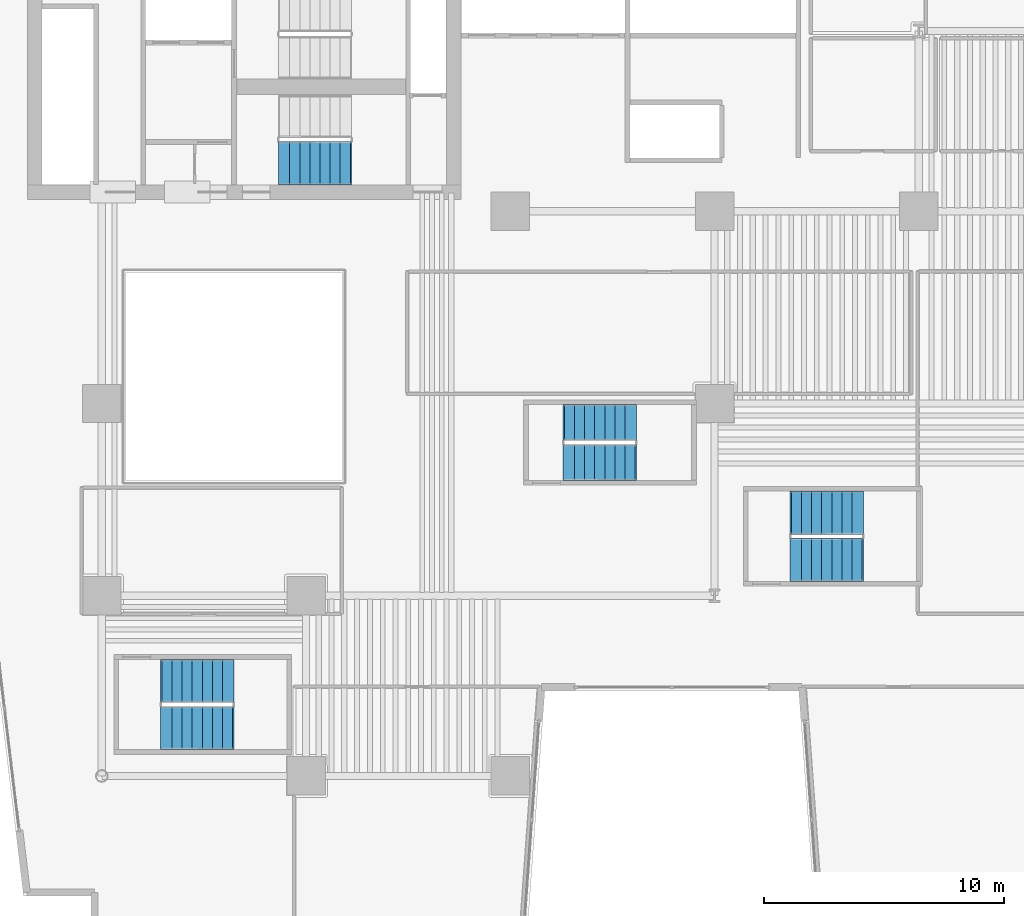
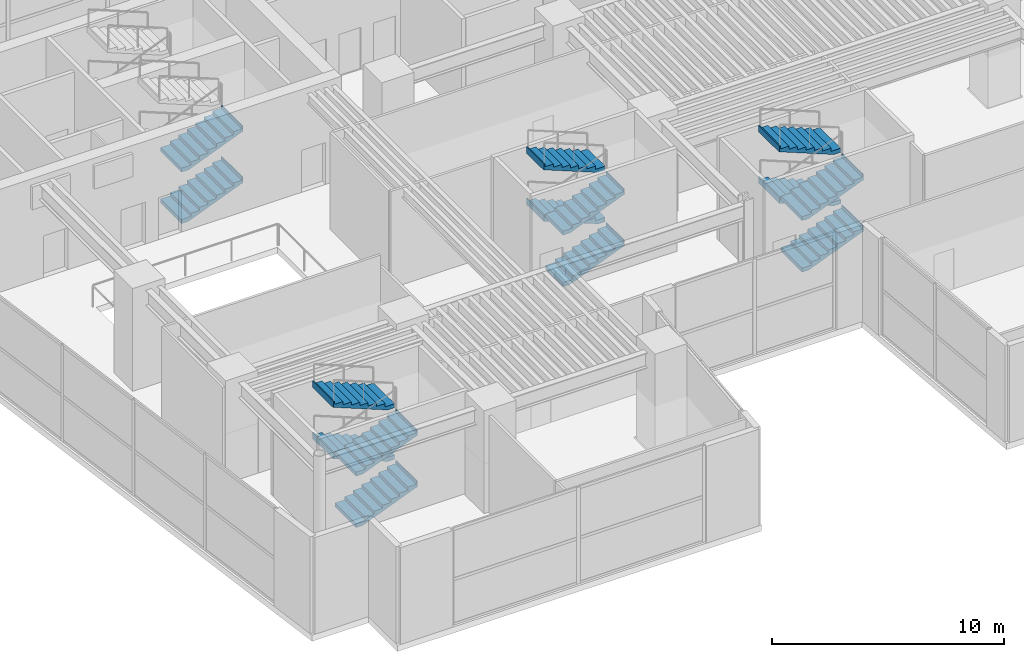
# One storey, part 11 of 16: 14 stair flights, 4 elements without a shape of their own.
"""IFC4 building model written with IfcOpenShell, lengths in metres."""

from ifc_helpers import new_model, si_unit, direction, frame, origin, place, context, subcontext, project, spatial, polyline, outline, extrude, material, type_object, element, aggregate, save


model = new_model("IFC4")

# Units and contexts
model_context = context("Model", 3, precision=1e-05, world=origin(), true_north=direction((0.0, 1.0)))
body_context = subcontext(model_context, "Body", "Model", "MODEL_VIEW")
ifc_project = project(units=[si_unit("LENGTHUNIT", "METRE"), si_unit("AREAUNIT", "SQUARE_METRE"), si_unit("VOLUMEUNIT", "CUBIC_METRE"), si_unit("PLANEANGLEUNIT", "RADIAN"), si_unit("MASSUNIT", "GRAM", prefix="KILO")], contexts=[model_context])

# Site, building, storey
site_placement = place(None, origin())
site = spatial("IfcSite", under=ifc_project, at=site_placement, CompositionType="ELEMENT")
building_placement = place(site_placement, origin())
building = spatial("IfcBuilding", under=site, at=building_placement, Name="Caeloran Harvest Quay", CompositionType="ELEMENT")
storey_placement = place(building_placement, frame((0.0, 0.0, 10.800048828125)))
storey = spatial("IfcBuildingStorey", under=building, at=storey_placement, Name="L03", CompositionType="ELEMENT", Elevation=10.800048828125)

# Stair, stair flights
ifc_material = material(Name="Concrete C50/60", Category="concrete")
stair_type_1 = type_object("IfcStairType", Name="STAIR-STC-180", PredefinedType="HALF_TURN_STAIR", material=ifc_material)
stair_1_placement = place(storey_placement, origin())
stair_1 = element("IfcStair", 1, at=stair_1_placement, inside=storey, type_object=stair_type_1, Name="L03 Core Pressurized Exit Stair ST-C2", PredefinedType="HALF_TURN_STAIR")
stair_flight_type_1 = type_object("IfcStairFlightType", Name="FLIGHT-STC-180", PredefinedType="STRAIGHT", material=ifc_material)
stair_flight_1_placement = place(storey_placement, frame((15.89990234375, 33.0, 0.0), z_axis=(0.0, 0.0, 1.0), x_axis=(1.0, 0.0, 0.0)))
stair_flight_1 = element("IfcStairFlight", 2, at=stair_flight_1_placement, type_object=stair_flight_type_1, Name="ST-C2 flight 1", NumberOfRisers=8, NumberOfTreads=7, PredefinedType="STRAIGHT", RiserHeight=0.16875, TreadLength=0.42, context=body_context, shape_type="SweptSolid", body=[
    extrude(outline(polyline([(-0.054931640625, -0.044921875), (-0.054931640625, -0.03173828125), (-0.054931640625, -0.018310546875), (-0.054931640625, -0.0048828125), (-0.054931640625, 0.008544921875), (-0.054931640625, 0.021728515625), (-0.054931640625, 0.03515625), (-0.054931640625, 0.048583984375), (-0.054931640625, 0.061767578125), (-0.054931640625, 0.0751953125), (-0.054931640625, 0.088623046875), (-0.054931640625, 0.10205078125), (-0.054931640625, 0.115234375), (-0.054931640625, 0.128662109375), (-0.054931640625, 0.14208984375), (-0.054931640625, 0.1552734375), (-0.054931640625, 0.168701171875), (0.419921875, 0.168701171875), (0.419921875, 0.33740234375), (0.840087890625, 0.33740234375), (0.840087890625, 0.50634765625), (1.260009765625, 0.50634765625), (1.260009765625, 0.675048828125), (1.679931640625, 0.675048828125), (1.679931640625, 0.84375), (2.10009765625, 0.84375), (2.10009765625, 1.012451171875), (2.52001953125, 1.012451171875), (2.52001953125, 1.18115234375), (2.93994140625, 1.18115234375), (2.93994140625, 1.35009765625), (2.9951171875, 1.35009765625), (2.9951171875, 1.329345703125), (2.9951171875, 1.30859375), (2.9951171875, 1.2880859375), (2.9951171875, 1.267333984375), (2.9951171875, 1.246826171875), (2.9951171875, 1.22607421875), (2.9951171875, 1.20556640625), (2.9951171875, 1.184814453125), (2.9951171875, 1.164306640625), (2.9951171875, 1.1435546875), (2.9951171875, 1.122802734375), (2.9951171875, 1.102294921875), (2.9951171875, 1.08154296875), (2.9951171875, 1.06103515625), (2.9951171875, 1.040283203125), (2.9951171875, 1.019775390625), (2.93994140625, 1.019775390625), (0.2900390625, -0.044921875), (-0.054931640625, -0.044921875)])), frame((0.0, 0.89990234375, 0.0), z_axis=(0.0, -1.0, 0.0), x_axis=(1.0, 0.0, 0.0)), (0.0, 0.0, 1.0), 1.800048828125),
])
stair_flight_2_placement = place(storey_placement, frame((15.89990234375, 33.0, 2.699951171875), z_axis=(0.0, 0.0, 1.0), x_axis=(1.0, 0.0, 0.0)))
stair_flight_2 = element("IfcStairFlight", 3, at=stair_flight_2_placement, type_object=stair_flight_type_1, Name="ST-C2 flight 3", NumberOfRisers=8, NumberOfTreads=7, PredefinedType="STRAIGHT", RiserHeight=0.16875, TreadLength=0.42, context=body_context, shape_type="SweptSolid", body=[
    extrude(outline(polyline([(-0.054931640625, -0.044921875), (-0.054931640625, -0.03173828125), (-0.054931640625, -0.018310546875), (-0.054931640625, -0.0048828125), (-0.054931640625, 0.008544921875), (-0.054931640625, 0.021728515625), (-0.054931640625, 0.03515625), (-0.054931640625, 0.048583984375), (-0.054931640625, 0.061767578125), (-0.054931640625, 0.0751953125), (-0.054931640625, 0.088623046875), (-0.054931640625, 0.10205078125), (-0.054931640625, 0.115234375), (-0.054931640625, 0.128662109375), (-0.054931640625, 0.14208984375), (-0.054931640625, 0.1552734375), (-0.054931640625, 0.168701171875), (0.419921875, 0.168701171875), (0.419921875, 0.33740234375), (0.840087890625, 0.33740234375), (0.840087890625, 0.50634765625), (1.260009765625, 0.50634765625), (1.260009765625, 0.675048828125), (1.679931640625, 0.675048828125), (1.679931640625, 0.84375), (2.10009765625, 0.84375), (2.10009765625, 1.012451171875), (2.52001953125, 1.012451171875), (2.52001953125, 1.18115234375), (2.93994140625, 1.18115234375), (2.93994140625, 1.35009765625), (2.9951171875, 1.35009765625), (2.9951171875, 1.329345703125), (2.9951171875, 1.30859375), (2.9951171875, 1.2880859375), (2.9951171875, 1.267333984375), (2.9951171875, 1.246826171875), (2.9951171875, 1.22607421875), (2.9951171875, 1.20556640625), (2.9951171875, 1.184814453125), (2.9951171875, 1.164306640625), (2.9951171875, 1.1435546875), (2.9951171875, 1.122802734375), (2.9951171875, 1.102294921875), (2.9951171875, 1.08154296875), (2.9951171875, 1.06103515625), (2.9951171875, 1.040283203125), (2.9951171875, 1.019775390625), (2.93994140625, 1.019775390625), (0.2900390625, -0.044921875), (-0.054931640625, -0.044921875)])), frame((0.0, 0.89990234375, 0.0), z_axis=(0.0, -1.0, 0.0), x_axis=(1.0, 0.0, 0.0)), (0.0, 0.0, 1.0), 1.800048828125),
])
aggregate(stair_1, [stair_flight_1, stair_flight_2])

stair_type_2 = type_object("IfcStairType", Name="STAIR-STP-180", PredefinedType="HALF_TURN_STAIR", material=ifc_material)
stair_2_placement = place(storey_placement, origin())
stair_2 = element("IfcStair", 4, at=stair_2_placement, inside=storey, type_object=stair_type_2, Name="L03 Podium West Public Exit Stair ST-P1", PredefinedType="HALF_TURN_STAIR")
stair_flight_type_2 = type_object("IfcStairFlightType", Name="FLIGHT-STP-180", PredefinedType="STRAIGHT", material=ifc_material)
stair_flight_3_placement = place(storey_placement, frame((11.0, 9.5, 0.0), z_axis=(0.0, 0.0, 1.0), x_axis=(1.0, 0.0, 0.0)))
stair_flight_3 = element("IfcStairFlight", 5, at=stair_flight_3_placement, type_object=stair_flight_type_2, Name="ST-P1 flight 1", NumberOfRisers=8, NumberOfTreads=7, PredefinedType="STRAIGHT", RiserHeight=0.16875, TreadLength=0.42, context=body_context, shape_type="SweptSolid", body=[
    extrude(outline(polyline([(-0.054931640625, -0.044921875), (-0.054931640625, -0.03173828125), (-0.054931640625, -0.018310546875), (-0.054931640625, -0.0048828125), (-0.054931640625, 0.008544921875), (-0.054931640625, 0.021728515625), (-0.054931640625, 0.03515625), (-0.054931640625, 0.048583984375), (-0.054931640625, 0.061767578125), (-0.054931640625, 0.0751953125), (-0.054931640625, 0.088623046875), (-0.054931640625, 0.10205078125), (-0.054931640625, 0.115234375), (-0.054931640625, 0.128662109375), (-0.054931640625, 0.14208984375), (-0.054931640625, 0.1552734375), (-0.054931640625, 0.168701171875), (0.419921875, 0.168701171875), (0.419921875, 0.33740234375), (0.840087890625, 0.33740234375), (0.840087890625, 0.50634765625), (1.260009765625, 0.50634765625), (1.260009765625, 0.675048828125), (1.679931640625, 0.675048828125), (1.679931640625, 0.84375), (2.10009765625, 0.84375), (2.10009765625, 1.012451171875), (2.52001953125, 1.012451171875), (2.52001953125, 1.18115234375), (2.93994140625, 1.18115234375), (2.93994140625, 1.35009765625), (2.9951171875, 1.35009765625), (2.9951171875, 1.329345703125), (2.9951171875, 1.30859375), (2.9951171875, 1.2880859375), (2.9951171875, 1.267333984375), (2.9951171875, 1.246826171875), (2.9951171875, 1.22607421875), (2.9951171875, 1.20556640625), (2.9951171875, 1.184814453125), (2.9951171875, 1.164306640625), (2.9951171875, 1.1435546875), (2.9951171875, 1.122802734375), (2.9951171875, 1.102294921875), (2.9951171875, 1.08154296875), (2.9951171875, 1.06103515625), (2.9951171875, 1.040283203125), (2.9951171875, 1.019775390625), (2.93994140625, 1.019775390625), (0.2900390625, -0.044921875), (-0.054931640625, -0.044921875)])), frame((0.0, 0.89990234375, 0.0), z_axis=(0.0, -1.0, 0.0), x_axis=(1.0, 0.0, 0.0)), (0.0, 0.0, 1.0), 1.800048828125),
])
stair_flight_4_placement = place(storey_placement, frame((13.93994140625, 11.449951171875, 1.349853515625), z_axis=(0.0, 0.0, 1.0), x_axis=(-1.0, 0.0, 0.0)))
stair_flight_4 = element("IfcStairFlight", 6, at=stair_flight_4_placement, type_object=stair_flight_type_2, Name="ST-P1 flight 2", NumberOfRisers=8, NumberOfTreads=7, PredefinedType="STRAIGHT", RiserHeight=0.16875, TreadLength=0.42, context=body_context, shape_type="SweptSolid", body=[
    extrude(outline(polyline([(-0.054931640625, -0.044921875), (-0.054931640625, -0.03173828125), (-0.054931640625, -0.018310546875), (-0.054931640625, -0.0048828125), (-0.054931640625, 0.008544921875), (-0.054931640625, 0.021728515625), (-0.054931640625, 0.03515625), (-0.054931640625, 0.048583984375), (-0.054931640625, 0.061767578125), (-0.054931640625, 0.0751953125), (-0.054931640625, 0.088623046875), (-0.054931640625, 0.10205078125), (-0.054931640625, 0.115234375), (-0.054931640625, 0.128662109375), (-0.054931640625, 0.14208984375), (-0.054931640625, 0.1552734375), (-0.054931640625, 0.168701171875), (0.419921875, 0.168701171875), (0.419921875, 0.33740234375), (0.840087890625, 0.33740234375), (0.840087890625, 0.50634765625), (1.260009765625, 0.50634765625), (1.260009765625, 0.675048828125), (1.679931640625, 0.675048828125), (1.679931640625, 0.84375), (2.10009765625, 0.84375), (2.10009765625, 1.012451171875), (2.52001953125, 1.012451171875), (2.52001953125, 1.18115234375), (2.93994140625, 1.18115234375), (2.93994140625, 1.35009765625), (2.9951171875, 1.35009765625), (2.9951171875, 1.329345703125), (2.9951171875, 1.30859375), (2.9951171875, 1.2880859375), (2.9951171875, 1.267333984375), (2.9951171875, 1.246826171875), (2.9951171875, 1.22607421875), (2.9951171875, 1.20556640625), (2.9951171875, 1.184814453125), (2.9951171875, 1.164306640625), (2.9951171875, 1.1435546875), (2.9951171875, 1.122802734375), (2.9951171875, 1.102294921875), (2.9951171875, 1.08154296875), (2.9951171875, 1.06103515625), (2.9951171875, 1.040283203125), (2.9951171875, 1.019775390625), (2.93994140625, 1.019775390625), (0.2900390625, -0.044921875), (-0.054931640625, -0.044921875)])), frame((0.0, 0.89990234375, 0.0), z_axis=(0.0, -1.0, 0.0), x_axis=(1.0, 0.0, 0.0)), (0.0, 0.0, 1.0), 1.800048828125),
])
stair_flight_5_placement = place(storey_placement, frame((11.0, 9.5, 2.699951171875), z_axis=(0.0, 0.0, 1.0), x_axis=(1.0, 0.0, 0.0)))
stair_flight_5 = element("IfcStairFlight", 7, at=stair_flight_5_placement, type_object=stair_flight_type_2, Name="ST-P1 flight 3", NumberOfRisers=8, NumberOfTreads=7, PredefinedType="STRAIGHT", RiserHeight=0.16875, TreadLength=0.42, context=body_context, shape_type="SweptSolid", body=[
    extrude(outline(polyline([(-0.054931640625, -0.044921875), (-0.054931640625, -0.03173828125), (-0.054931640625, -0.018310546875), (-0.054931640625, -0.0048828125), (-0.054931640625, 0.008544921875), (-0.054931640625, 0.021728515625), (-0.054931640625, 0.03515625), (-0.054931640625, 0.048583984375), (-0.054931640625, 0.061767578125), (-0.054931640625, 0.0751953125), (-0.054931640625, 0.088623046875), (-0.054931640625, 0.10205078125), (-0.054931640625, 0.115234375), (-0.054931640625, 0.128662109375), (-0.054931640625, 0.14208984375), (-0.054931640625, 0.1552734375), (-0.054931640625, 0.168701171875), (0.419921875, 0.168701171875), (0.419921875, 0.33740234375), (0.840087890625, 0.33740234375), (0.840087890625, 0.50634765625), (1.260009765625, 0.50634765625), (1.260009765625, 0.675048828125), (1.679931640625, 0.675048828125), (1.679931640625, 0.84375), (2.10009765625, 0.84375), (2.10009765625, 1.012451171875), (2.52001953125, 1.012451171875), (2.52001953125, 1.18115234375), (2.93994140625, 1.18115234375), (2.93994140625, 1.35009765625), (2.9951171875, 1.35009765625), (2.9951171875, 1.329345703125), (2.9951171875, 1.30859375), (2.9951171875, 1.2880859375), (2.9951171875, 1.267333984375), (2.9951171875, 1.246826171875), (2.9951171875, 1.22607421875), (2.9951171875, 1.20556640625), (2.9951171875, 1.184814453125), (2.9951171875, 1.164306640625), (2.9951171875, 1.1435546875), (2.9951171875, 1.122802734375), (2.9951171875, 1.102294921875), (2.9951171875, 1.08154296875), (2.9951171875, 1.06103515625), (2.9951171875, 1.040283203125), (2.9951171875, 1.019775390625), (2.93994140625, 1.019775390625), (0.2900390625, -0.044921875), (-0.054931640625, -0.044921875)])), frame((0.0, 0.89990234375, 0.0), z_axis=(0.0, -1.0, 0.0), x_axis=(1.0, 0.0, 0.0)), (0.0, 0.0, 1.0), 1.800048828125),
])
stair_flight_6_placement = place(storey_placement, frame((13.93994140625, 11.449951171875, 4.050048828125), z_axis=(0.0, 0.0, 1.0), x_axis=(-1.0, 0.0, 0.0)))
stair_flight_6 = element("IfcStairFlight", 8, at=stair_flight_6_placement, type_object=stair_flight_type_2, Name="ST-P1 flight 4", NumberOfRisers=8, NumberOfTreads=7, PredefinedType="STRAIGHT", RiserHeight=0.16875, TreadLength=0.42, context=body_context, shape_type="SweptSolid", body=[
    extrude(outline(polyline([(-0.054931640625, -0.044921875), (-0.054931640625, -0.03173828125), (-0.054931640625, -0.018310546875), (-0.054931640625, -0.0048828125), (-0.054931640625, 0.008544921875), (-0.054931640625, 0.021728515625), (-0.054931640625, 0.03515625), (-0.054931640625, 0.048583984375), (-0.054931640625, 0.061767578125), (-0.054931640625, 0.0751953125), (-0.054931640625, 0.088623046875), (-0.054931640625, 0.10205078125), (-0.054931640625, 0.115234375), (-0.054931640625, 0.128662109375), (-0.054931640625, 0.14208984375), (-0.054931640625, 0.1552734375), (-0.054931640625, 0.168701171875), (0.419921875, 0.168701171875), (0.419921875, 0.33740234375), (0.840087890625, 0.33740234375), (0.840087890625, 0.50634765625), (1.260009765625, 0.50634765625), (1.260009765625, 0.675048828125), (1.679931640625, 0.675048828125), (1.679931640625, 0.84375), (2.10009765625, 0.84375), (2.10009765625, 1.012451171875), (2.52001953125, 1.012451171875), (2.52001953125, 1.18115234375), (2.93994140625, 1.18115234375), (2.93994140625, 1.35009765625), (2.9951171875, 1.35009765625), (2.9951171875, 1.329345703125), (2.9951171875, 1.30859375), (2.9951171875, 1.2880859375), (2.9951171875, 1.267333984375), (2.9951171875, 1.246826171875), (2.9951171875, 1.22607421875), (2.9951171875, 1.20556640625), (2.9951171875, 1.184814453125), (2.9951171875, 1.164306640625), (2.9951171875, 1.1435546875), (2.9951171875, 1.122802734375), (2.9951171875, 1.102294921875), (2.9951171875, 1.08154296875), (2.9951171875, 1.06103515625), (2.9951171875, 1.040283203125), (2.9951171875, 1.019775390625), (2.93994140625, 1.019775390625), (0.2900390625, -0.044921875), (-0.054931640625, -0.044921875)])), frame((0.0, 0.89990234375, 0.0), z_axis=(0.0, -1.0, 0.0), x_axis=(1.0, 0.0, 0.0)), (0.0, 0.0, 1.0), 1.800048828125),
])
aggregate(stair_2, [stair_flight_3, stair_flight_4, stair_flight_5, stair_flight_6])

stair_3_placement = place(storey_placement, origin())
stair_3 = element("IfcStair", 9, at=stair_3_placement, inside=storey, type_object=stair_type_2, Name="L03 Podium East Public Exit Stair ST-P2", PredefinedType="HALF_TURN_STAIR")
stair_flight_7_placement = place(storey_placement, frame((37.199951171875, 16.5, 0.0), z_axis=(0.0, 0.0, 1.0), x_axis=(1.0, 0.0, 0.0)))
stair_flight_7 = element("IfcStairFlight", 10, at=stair_flight_7_placement, type_object=stair_flight_type_2, Name="ST-P2 flight 1", NumberOfRisers=8, NumberOfTreads=7, PredefinedType="STRAIGHT", RiserHeight=0.16875, TreadLength=0.42, context=body_context, shape_type="SweptSolid", body=[
    extrude(outline(polyline([(-0.054931640625, -0.044921875), (-0.054931640625, -0.03173828125), (-0.054931640625, -0.018310546875), (-0.054931640625, -0.0048828125), (-0.054931640625, 0.008544921875), (-0.054931640625, 0.021728515625), (-0.054931640625, 0.03515625), (-0.054931640625, 0.048583984375), (-0.054931640625, 0.061767578125), (-0.054931640625, 0.0751953125), (-0.054931640625, 0.088623046875), (-0.054931640625, 0.10205078125), (-0.054931640625, 0.115234375), (-0.054931640625, 0.128662109375), (-0.054931640625, 0.14208984375), (-0.054931640625, 0.1552734375), (-0.054931640625, 0.168701171875), (0.419921875, 0.168701171875), (0.419921875, 0.33740234375), (0.840087890625, 0.33740234375), (0.840087890625, 0.50634765625), (1.260009765625, 0.50634765625), (1.260009765625, 0.675048828125), (1.679931640625, 0.675048828125), (1.679931640625, 0.84375), (2.10009765625, 0.84375), (2.10009765625, 1.012451171875), (2.52001953125, 1.012451171875), (2.52001953125, 1.18115234375), (2.93994140625, 1.18115234375), (2.93994140625, 1.35009765625), (2.9951171875, 1.35009765625), (2.9951171875, 1.329345703125), (2.9951171875, 1.30859375), (2.9951171875, 1.2880859375), (2.9951171875, 1.267333984375), (2.9951171875, 1.246826171875), (2.9951171875, 1.22607421875), (2.9951171875, 1.20556640625), (2.9951171875, 1.184814453125), (2.9951171875, 1.164306640625), (2.9951171875, 1.1435546875), (2.9951171875, 1.122802734375), (2.9951171875, 1.102294921875), (2.9951171875, 1.08154296875), (2.9951171875, 1.06103515625), (2.9951171875, 1.040283203125), (2.9951171875, 1.019775390625), (2.93994140625, 1.019775390625), (0.2900390625, -0.044921875), (-0.054931640625, -0.044921875)])), frame((0.0, 0.89990234375, 0.0), z_axis=(0.0, -1.0, 0.0), x_axis=(1.0, 0.0, 0.0)), (0.0, 0.0, 1.0), 1.800048828125),
])
stair_flight_8_placement = place(storey_placement, frame((40.139892578125, 18.449951171875, 1.349853515625), z_axis=(0.0, 0.0, 1.0), x_axis=(-1.0, 0.0, 0.0)))
stair_flight_8 = element("IfcStairFlight", 11, at=stair_flight_8_placement, type_object=stair_flight_type_2, Name="ST-P2 flight 2", NumberOfRisers=8, NumberOfTreads=7, PredefinedType="STRAIGHT", RiserHeight=0.16875, TreadLength=0.42, context=body_context, shape_type="SweptSolid", body=[
    extrude(outline(polyline([(-0.054931640625, -0.044921875), (-0.054931640625, -0.03173828125), (-0.054931640625, -0.018310546875), (-0.054931640625, -0.0048828125), (-0.054931640625, 0.008544921875), (-0.054931640625, 0.021728515625), (-0.054931640625, 0.03515625), (-0.054931640625, 0.048583984375), (-0.054931640625, 0.061767578125), (-0.054931640625, 0.0751953125), (-0.054931640625, 0.088623046875), (-0.054931640625, 0.10205078125), (-0.054931640625, 0.115234375), (-0.054931640625, 0.128662109375), (-0.054931640625, 0.14208984375), (-0.054931640625, 0.1552734375), (-0.054931640625, 0.168701171875), (0.419921875, 0.168701171875), (0.419921875, 0.33740234375), (0.840087890625, 0.33740234375), (0.840087890625, 0.50634765625), (1.260009765625, 0.50634765625), (1.260009765625, 0.675048828125), (1.679931640625, 0.675048828125), (1.679931640625, 0.84375), (2.10009765625, 0.84375), (2.10009765625, 1.012451171875), (2.52001953125, 1.012451171875), (2.52001953125, 1.18115234375), (2.93994140625, 1.18115234375), (2.93994140625, 1.35009765625), (2.9951171875, 1.35009765625), (2.9951171875, 1.329345703125), (2.9951171875, 1.30859375), (2.9951171875, 1.2880859375), (2.9951171875, 1.267333984375), (2.9951171875, 1.246826171875), (2.9951171875, 1.22607421875), (2.9951171875, 1.20556640625), (2.9951171875, 1.184814453125), (2.9951171875, 1.164306640625), (2.9951171875, 1.1435546875), (2.9951171875, 1.122802734375), (2.9951171875, 1.102294921875), (2.9951171875, 1.08154296875), (2.9951171875, 1.06103515625), (2.9951171875, 1.040283203125), (2.9951171875, 1.019775390625), (2.93994140625, 1.019775390625), (0.2900390625, -0.044921875), (-0.054931640625, -0.044921875)])), frame((0.0, 0.89990234375, 0.0), z_axis=(0.0, -1.0, 0.0), x_axis=(1.0, 0.0, 0.0)), (0.0, 0.0, 1.0), 1.800048828125),
])
stair_flight_9_placement = place(storey_placement, frame((37.199951171875, 16.5, 2.699951171875), z_axis=(0.0, 0.0, 1.0), x_axis=(1.0, 0.0, 0.0)))
stair_flight_9 = element("IfcStairFlight", 12, at=stair_flight_9_placement, type_object=stair_flight_type_2, Name="ST-P2 flight 3", NumberOfRisers=8, NumberOfTreads=7, PredefinedType="STRAIGHT", RiserHeight=0.16875, TreadLength=0.42, context=body_context, shape_type="SweptSolid", body=[
    extrude(outline(polyline([(-0.054931640625, -0.044921875), (-0.054931640625, -0.03173828125), (-0.054931640625, -0.018310546875), (-0.054931640625, -0.0048828125), (-0.054931640625, 0.008544921875), (-0.054931640625, 0.021728515625), (-0.054931640625, 0.03515625), (-0.054931640625, 0.048583984375), (-0.054931640625, 0.061767578125), (-0.054931640625, 0.0751953125), (-0.054931640625, 0.088623046875), (-0.054931640625, 0.10205078125), (-0.054931640625, 0.115234375), (-0.054931640625, 0.128662109375), (-0.054931640625, 0.14208984375), (-0.054931640625, 0.1552734375), (-0.054931640625, 0.168701171875), (0.419921875, 0.168701171875), (0.419921875, 0.33740234375), (0.840087890625, 0.33740234375), (0.840087890625, 0.50634765625), (1.260009765625, 0.50634765625), (1.260009765625, 0.675048828125), (1.679931640625, 0.675048828125), (1.679931640625, 0.84375), (2.10009765625, 0.84375), (2.10009765625, 1.012451171875), (2.52001953125, 1.012451171875), (2.52001953125, 1.18115234375), (2.93994140625, 1.18115234375), (2.93994140625, 1.35009765625), (2.9951171875, 1.35009765625), (2.9951171875, 1.329345703125), (2.9951171875, 1.30859375), (2.9951171875, 1.2880859375), (2.9951171875, 1.267333984375), (2.9951171875, 1.246826171875), (2.9951171875, 1.22607421875), (2.9951171875, 1.20556640625), (2.9951171875, 1.184814453125), (2.9951171875, 1.164306640625), (2.9951171875, 1.1435546875), (2.9951171875, 1.122802734375), (2.9951171875, 1.102294921875), (2.9951171875, 1.08154296875), (2.9951171875, 1.06103515625), (2.9951171875, 1.040283203125), (2.9951171875, 1.019775390625), (2.93994140625, 1.019775390625), (0.2900390625, -0.044921875), (-0.054931640625, -0.044921875)])), frame((0.0, 0.89990234375, 0.0), z_axis=(0.0, -1.0, 0.0), x_axis=(1.0, 0.0, 0.0)), (0.0, 0.0, 1.0), 1.800048828125),
])
stair_flight_10_placement = place(storey_placement, frame((40.139892578125, 18.449951171875, 4.050048828125), z_axis=(0.0, 0.0, 1.0), x_axis=(-1.0, 0.0, 0.0)))
stair_flight_10 = element("IfcStairFlight", 13, at=stair_flight_10_placement, type_object=stair_flight_type_2, Name="ST-P2 flight 4", NumberOfRisers=8, NumberOfTreads=7, PredefinedType="STRAIGHT", RiserHeight=0.16875, TreadLength=0.42, context=body_context, shape_type="SweptSolid", body=[
    extrude(outline(polyline([(-0.054931640625, -0.044921875), (-0.054931640625, -0.03173828125), (-0.054931640625, -0.018310546875), (-0.054931640625, -0.0048828125), (-0.054931640625, 0.008544921875), (-0.054931640625, 0.021728515625), (-0.054931640625, 0.03515625), (-0.054931640625, 0.048583984375), (-0.054931640625, 0.061767578125), (-0.054931640625, 0.0751953125), (-0.054931640625, 0.088623046875), (-0.054931640625, 0.10205078125), (-0.054931640625, 0.115234375), (-0.054931640625, 0.128662109375), (-0.054931640625, 0.14208984375), (-0.054931640625, 0.1552734375), (-0.054931640625, 0.168701171875), (0.419921875, 0.168701171875), (0.419921875, 0.33740234375), (0.840087890625, 0.33740234375), (0.840087890625, 0.50634765625), (1.260009765625, 0.50634765625), (1.260009765625, 0.675048828125), (1.679931640625, 0.675048828125), (1.679931640625, 0.84375), (2.10009765625, 0.84375), (2.10009765625, 1.012451171875), (2.52001953125, 1.012451171875), (2.52001953125, 1.18115234375), (2.93994140625, 1.18115234375), (2.93994140625, 1.35009765625), (2.9951171875, 1.35009765625), (2.9951171875, 1.329345703125), (2.9951171875, 1.30859375), (2.9951171875, 1.2880859375), (2.9951171875, 1.267333984375), (2.9951171875, 1.246826171875), (2.9951171875, 1.22607421875), (2.9951171875, 1.20556640625), (2.9951171875, 1.184814453125), (2.9951171875, 1.164306640625), (2.9951171875, 1.1435546875), (2.9951171875, 1.122802734375), (2.9951171875, 1.102294921875), (2.9951171875, 1.08154296875), (2.9951171875, 1.06103515625), (2.9951171875, 1.040283203125), (2.9951171875, 1.019775390625), (2.93994140625, 1.019775390625), (0.2900390625, -0.044921875), (-0.054931640625, -0.044921875)])), frame((0.0, 0.89990234375, 0.0), z_axis=(0.0, -1.0, 0.0), x_axis=(1.0, 0.0, 0.0)), (0.0, 0.0, 1.0), 1.800048828125),
])
aggregate(stair_3, [stair_flight_7, stair_flight_8, stair_flight_9, stair_flight_10])

stair_type_3 = type_object("IfcStairType", Name="STAIR-STW-150", PredefinedType="HALF_TURN_STAIR", material=ifc_material)
stair_4_placement = place(storey_placement, origin())
stair_4 = element("IfcStair", 14, at=stair_4_placement, inside=storey, type_object=stair_type_3, Name="L03 East Wing Protected Exit Stair ST-W1", PredefinedType="HALF_TURN_STAIR")
stair_flight_type_3 = type_object("IfcStairFlightType", Name="FLIGHT-STW-150", PredefinedType="STRAIGHT", material=ifc_material)
stair_flight_11_placement = place(storey_placement, frame((27.75, 20.550048828125, 0.0), z_axis=(0.0, 0.0, 1.0), x_axis=(1.0, 0.0, 0.0)))
stair_flight_11 = element("IfcStairFlight", 15, at=stair_flight_11_placement, type_object=stair_flight_type_3, Name="ST-W1 flight 1", NumberOfRisers=8, NumberOfTreads=7, PredefinedType="STRAIGHT", RiserHeight=0.16875, TreadLength=0.42, context=body_context, shape_type="SweptSolid", body=[
    extrude(outline(polyline([(-0.054931640625, -0.044921875), (-0.054931640625, -0.03173828125), (-0.054931640625, -0.018310546875), (-0.054931640625, -0.0048828125), (-0.054931640625, 0.008544921875), (-0.054931640625, 0.021728515625), (-0.054931640625, 0.03515625), (-0.054931640625, 0.048583984375), (-0.054931640625, 0.061767578125), (-0.054931640625, 0.0751953125), (-0.054931640625, 0.088623046875), (-0.054931640625, 0.10205078125), (-0.054931640625, 0.115234375), (-0.054931640625, 0.128662109375), (-0.054931640625, 0.14208984375), (-0.054931640625, 0.1552734375), (-0.054931640625, 0.168701171875), (0.419921875, 0.168701171875), (0.419921875, 0.33740234375), (0.840087890625, 0.33740234375), (0.840087890625, 0.50634765625), (1.260009765625, 0.50634765625), (1.260009765625, 0.675048828125), (1.679931640625, 0.675048828125), (1.679931640625, 0.84375), (2.10009765625, 0.84375), (2.10009765625, 1.012451171875), (2.52001953125, 1.012451171875), (2.52001953125, 1.18115234375), (2.93994140625, 1.18115234375), (2.93994140625, 1.35009765625), (2.9951171875, 1.35009765625), (2.9951171875, 1.329345703125), (2.9951171875, 1.30859375), (2.9951171875, 1.2880859375), (2.9951171875, 1.267333984375), (2.9951171875, 1.246826171875), (2.9951171875, 1.22607421875), (2.9951171875, 1.20556640625), (2.9951171875, 1.184814453125), (2.9951171875, 1.164306640625), (2.9951171875, 1.1435546875), (2.9951171875, 1.122802734375), (2.9951171875, 1.102294921875), (2.9951171875, 1.08154296875), (2.9951171875, 1.06103515625), (2.9951171875, 1.040283203125), (2.9951171875, 1.019775390625), (2.93994140625, 1.019775390625), (0.2900390625, -0.044921875), (-0.054931640625, -0.044921875)])), frame((0.0, 0.75, 0.0), z_axis=(0.0, -1.0, 0.0), x_axis=(1.0, 0.0, 0.0)), (0.0, 0.0, 1.0), 1.5),
])
stair_flight_12_placement = place(storey_placement, frame((30.68994140625, 22.199951171875, 1.349853515625), z_axis=(0.0, 0.0, 1.0), x_axis=(-1.0, 0.0, 0.0)))
stair_flight_12 = element("IfcStairFlight", 16, at=stair_flight_12_placement, type_object=stair_flight_type_3, Name="ST-W1 flight 2", NumberOfRisers=8, NumberOfTreads=7, PredefinedType="STRAIGHT", RiserHeight=0.16875, TreadLength=0.42, context=body_context, shape_type="SweptSolid", body=[
    extrude(outline(polyline([(-0.054931640625, -0.044921875), (-0.054931640625, -0.03173828125), (-0.054931640625, -0.018310546875), (-0.054931640625, -0.0048828125), (-0.054931640625, 0.008544921875), (-0.054931640625, 0.021728515625), (-0.054931640625, 0.03515625), (-0.054931640625, 0.048583984375), (-0.054931640625, 0.061767578125), (-0.054931640625, 0.0751953125), (-0.054931640625, 0.088623046875), (-0.054931640625, 0.10205078125), (-0.054931640625, 0.115234375), (-0.054931640625, 0.128662109375), (-0.054931640625, 0.14208984375), (-0.054931640625, 0.1552734375), (-0.054931640625, 0.168701171875), (0.419921875, 0.168701171875), (0.419921875, 0.33740234375), (0.840087890625, 0.33740234375), (0.840087890625, 0.50634765625), (1.260009765625, 0.50634765625), (1.260009765625, 0.675048828125), (1.679931640625, 0.675048828125), (1.679931640625, 0.84375), (2.10009765625, 0.84375), (2.10009765625, 1.012451171875), (2.52001953125, 1.012451171875), (2.52001953125, 1.18115234375), (2.93994140625, 1.18115234375), (2.93994140625, 1.35009765625), (2.9951171875, 1.35009765625), (2.9951171875, 1.329345703125), (2.9951171875, 1.30859375), (2.9951171875, 1.2880859375), (2.9951171875, 1.267333984375), (2.9951171875, 1.246826171875), (2.9951171875, 1.22607421875), (2.9951171875, 1.20556640625), (2.9951171875, 1.184814453125), (2.9951171875, 1.164306640625), (2.9951171875, 1.1435546875), (2.9951171875, 1.122802734375), (2.9951171875, 1.102294921875), (2.9951171875, 1.08154296875), (2.9951171875, 1.06103515625), (2.9951171875, 1.040283203125), (2.9951171875, 1.019775390625), (2.93994140625, 1.019775390625), (0.2900390625, -0.044921875), (-0.054931640625, -0.044921875)])), frame((0.0, 0.75, 0.0), z_axis=(0.0, -1.0, 0.0), x_axis=(1.0, 0.0, 0.0)), (0.0, 0.0, 1.0), 1.5),
])
stair_flight_13_placement = place(storey_placement, frame((27.75, 20.550048828125, 2.699951171875), z_axis=(0.0, 0.0, 1.0), x_axis=(1.0, 0.0, 0.0)))
stair_flight_13 = element("IfcStairFlight", 17, at=stair_flight_13_placement, type_object=stair_flight_type_3, Name="ST-W1 flight 3", NumberOfRisers=8, NumberOfTreads=7, PredefinedType="STRAIGHT", RiserHeight=0.16875, TreadLength=0.42, context=body_context, shape_type="SweptSolid", body=[
    extrude(outline(polyline([(-0.054931640625, -0.044921875), (-0.054931640625, -0.03173828125), (-0.054931640625, -0.018310546875), (-0.054931640625, -0.0048828125), (-0.054931640625, 0.008544921875), (-0.054931640625, 0.021728515625), (-0.054931640625, 0.03515625), (-0.054931640625, 0.048583984375), (-0.054931640625, 0.061767578125), (-0.054931640625, 0.0751953125), (-0.054931640625, 0.088623046875), (-0.054931640625, 0.10205078125), (-0.054931640625, 0.115234375), (-0.054931640625, 0.128662109375), (-0.054931640625, 0.14208984375), (-0.054931640625, 0.1552734375), (-0.054931640625, 0.168701171875), (0.419921875, 0.168701171875), (0.419921875, 0.33740234375), (0.840087890625, 0.33740234375), (0.840087890625, 0.50634765625), (1.260009765625, 0.50634765625), (1.260009765625, 0.675048828125), (1.679931640625, 0.675048828125), (1.679931640625, 0.84375), (2.10009765625, 0.84375), (2.10009765625, 1.012451171875), (2.52001953125, 1.012451171875), (2.52001953125, 1.18115234375), (2.93994140625, 1.18115234375), (2.93994140625, 1.35009765625), (2.9951171875, 1.35009765625), (2.9951171875, 1.329345703125), (2.9951171875, 1.30859375), (2.9951171875, 1.2880859375), (2.9951171875, 1.267333984375), (2.9951171875, 1.246826171875), (2.9951171875, 1.22607421875), (2.9951171875, 1.20556640625), (2.9951171875, 1.184814453125), (2.9951171875, 1.164306640625), (2.9951171875, 1.1435546875), (2.9951171875, 1.122802734375), (2.9951171875, 1.102294921875), (2.9951171875, 1.08154296875), (2.9951171875, 1.06103515625), (2.9951171875, 1.040283203125), (2.9951171875, 1.019775390625), (2.93994140625, 1.019775390625), (0.2900390625, -0.044921875), (-0.054931640625, -0.044921875)])), frame((0.0, 0.75, 0.0), z_axis=(0.0, -1.0, 0.0), x_axis=(1.0, 0.0, 0.0)), (0.0, 0.0, 1.0), 1.5),
])
stair_flight_14_placement = place(storey_placement, frame((30.68994140625, 22.199951171875, 4.050048828125), z_axis=(0.0, 0.0, 1.0), x_axis=(-1.0, 0.0, 0.0)))
stair_flight_14 = element("IfcStairFlight", 18, at=stair_flight_14_placement, type_object=stair_flight_type_3, Name="ST-W1 flight 4", NumberOfRisers=8, NumberOfTreads=7, PredefinedType="STRAIGHT", RiserHeight=0.16875, TreadLength=0.42, context=body_context, shape_type="SweptSolid", body=[
    extrude(outline(polyline([(-0.054931640625, -0.044921875), (-0.054931640625, -0.03173828125), (-0.054931640625, -0.018310546875), (-0.054931640625, -0.0048828125), (-0.054931640625, 0.008544921875), (-0.054931640625, 0.021728515625), (-0.054931640625, 0.03515625), (-0.054931640625, 0.048583984375), (-0.054931640625, 0.061767578125), (-0.054931640625, 0.0751953125), (-0.054931640625, 0.088623046875), (-0.054931640625, 0.10205078125), (-0.054931640625, 0.115234375), (-0.054931640625, 0.128662109375), (-0.054931640625, 0.14208984375), (-0.054931640625, 0.1552734375), (-0.054931640625, 0.168701171875), (0.419921875, 0.168701171875), (0.419921875, 0.33740234375), (0.840087890625, 0.33740234375), (0.840087890625, 0.50634765625), (1.260009765625, 0.50634765625), (1.260009765625, 0.675048828125), (1.679931640625, 0.675048828125), (1.679931640625, 0.84375), (2.10009765625, 0.84375), (2.10009765625, 1.012451171875), (2.52001953125, 1.012451171875), (2.52001953125, 1.18115234375), (2.93994140625, 1.18115234375), (2.93994140625, 1.35009765625), (2.9951171875, 1.35009765625), (2.9951171875, 1.329345703125), (2.9951171875, 1.30859375), (2.9951171875, 1.2880859375), (2.9951171875, 1.267333984375), (2.9951171875, 1.246826171875), (2.9951171875, 1.22607421875), (2.9951171875, 1.20556640625), (2.9951171875, 1.184814453125), (2.9951171875, 1.164306640625), (2.9951171875, 1.1435546875), (2.9951171875, 1.122802734375), (2.9951171875, 1.102294921875), (2.9951171875, 1.08154296875), (2.9951171875, 1.06103515625), (2.9951171875, 1.040283203125), (2.9951171875, 1.019775390625), (2.93994140625, 1.019775390625), (0.2900390625, -0.044921875), (-0.054931640625, -0.044921875)])), frame((0.0, 0.75, 0.0), z_axis=(0.0, -1.0, 0.0), x_axis=(1.0, 0.0, 0.0)), (0.0, 0.0, 1.0), 1.5),
])
aggregate(stair_4, [stair_flight_11, stair_flight_12, stair_flight_13, stair_flight_14])

save(model, "model.ifc")
